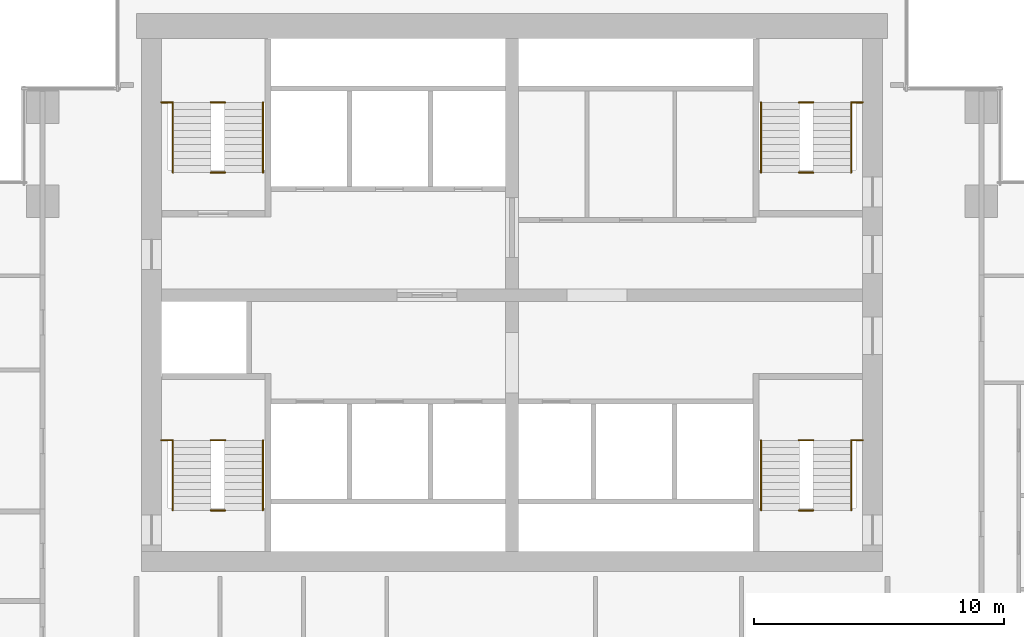
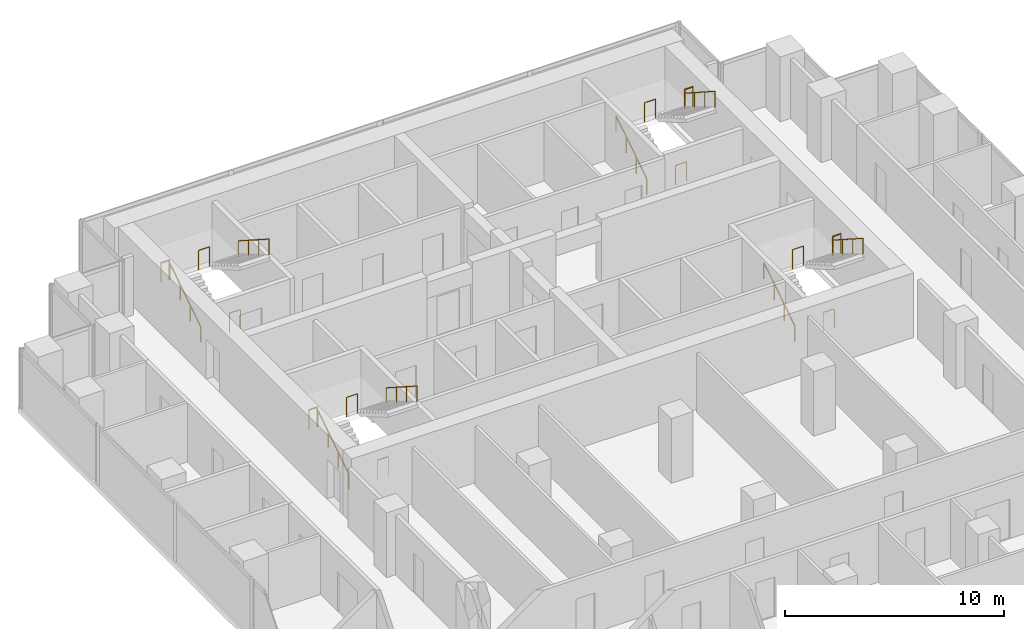
# One storey, part 11 of 11: 20 railings.
"""IFC4 building model written with IfcOpenShell, lengths in metres."""

from ifc_helpers import new_model, si_unit, direction, frame, origin, origin_2d, place, context, subcontext, project, spatial, circle, extrude, material, type_object, element, save


model = new_model("IFC4")

# Units and contexts
model_context = context("Model", 3, precision=1e-05, world=origin(), true_north=direction((0.0, 1.0)))
body_context = subcontext(model_context, "Body", "Model", "MODEL_VIEW")
ifc_project = project(units=[si_unit("LENGTHUNIT", "METRE"), si_unit("AREAUNIT", "SQUARE_METRE"), si_unit("VOLUMEUNIT", "CUBIC_METRE"), si_unit("PLANEANGLEUNIT", "RADIAN"), si_unit("MASSUNIT", "GRAM", prefix="KILO")], contexts=[model_context])

# Site, building, storey
site_placement = place(None, origin())
site = spatial("IfcSite", under=ifc_project, at=site_placement, CompositionType="ELEMENT")
building_placement = place(site_placement, origin())
building = spatial("IfcBuilding", under=site, at=building_placement, Name="Pilkhan Gate Tower", CompositionType="ELEMENT")
storey_placement = place(building_placement, frame((0.0, 0.0, 125.199951171875)))
storey = spatial("IfcBuildingStorey", under=building, at=storey_placement, Name="L31", CompositionType="ELEMENT", Elevation=125.199951171875)

# Railings
ifc_material_1 = material(Name="Black powder-coated steel tube", Category="steel")
railing_type_1 = type_object("IfcRailingType", Name="Stair handrail HR1", PredefinedType="HANDRAIL", material=ifc_material_1)
railing_1_placement = place(storey_placement, frame((84.949951171875, 73.89990234375, 0.0)))
element("IfcRailing", 1, at=railing_1_placement, inside=storey, type_object=railing_type_1, Name="Stair ST1 handrail L31", PredefinedType="HANDRAIL", context=body_context, shape_type="SweptSolid", body=[
    extrude(circle(Radius=0.02392578125, at=origin_2d()), frame((0.0, 0.0, 0.8759765625), z_axis=(0.0, 0.841176092368, 0.540761298198), x_axis=(-1.0, 0.0, 0.0)), (0.0, 0.0, 1.0), 3.32861328125),
    extrude(circle(Radius=0.02099609375, at=origin_2d()), origin(), (0.0, 0.0, 1.0), 0.851806640625),
    extrude(circle(Radius=0.02099609375, at=origin_2d()), frame((0.0, 0.933349609375, 0.60009765625)), (0.0, 0.0, 1.0), 0.851806640625),
    extrude(circle(Radius=0.02099609375, at=origin_2d()), frame((0.0, 1.86669921875, 1.199951171875)), (0.0, 0.0, 1.0), 0.851806640625),
    extrude(circle(Radius=0.02099609375, at=origin_2d()), frame((0.0, 2.800048828125, 1.800048828125)), (0.0, 0.0, 1.0), 0.851806640625),
])
railing_2_placement = place(storey_placement, frame((88.550048828125, 76.699951171875, 1.800048828125)))
element("IfcRailing", 2, at=railing_2_placement, inside=storey, type_object=railing_type_1, Name="Stair ST1 handrail L31", PredefinedType="HANDRAIL", context=body_context, shape_type="SweptSolid", body=[
    extrude(circle(Radius=0.02392578125, at=origin_2d()), frame((0.0, 0.0, 0.8759765625), z_axis=(0.0, -0.841176092368, 0.540761298198), x_axis=(1.0, 0.0, 0.0)), (0.0, 0.0, 1.0), 3.32861328125),
    extrude(circle(Radius=0.02099609375, at=origin_2d()), origin(), (0.0, 0.0, 1.0), 0.851806640625),
    extrude(circle(Radius=0.02099609375, at=origin_2d()), frame((0.0, -0.933349609375, 0.60009765625)), (0.0, 0.0, 1.0), 0.851806640625),
    extrude(circle(Radius=0.02099609375, at=origin_2d()), frame((0.0, -1.86669921875, 1.199951171875)), (0.0, 0.0, 1.0), 0.851806640625),
    extrude(circle(Radius=0.02099609375, at=origin_2d()), frame((0.0, -2.800048828125, 1.800048828125)), (0.0, 0.0, 1.0), 0.851806640625),
])
railing_3_placement = place(storey_placement, frame((61.449951171875, 73.89990234375, 0.0)))
element("IfcRailing", 3, at=railing_3_placement, inside=storey, type_object=railing_type_1, Name="Stair ST2 handrail L31", PredefinedType="HANDRAIL", context=body_context, shape_type="SweptSolid", body=[
    extrude(circle(Radius=0.02392578125, at=origin_2d()), frame((0.0, 0.0, 0.8759765625), z_axis=(0.0, 0.841176092368, 0.540761298198), x_axis=(-1.0, 0.0, 0.0)), (0.0, 0.0, 1.0), 3.32861328125),
    extrude(circle(Radius=0.02099609375, at=origin_2d()), origin(), (0.0, 0.0, 1.0), 0.851806640625),
    extrude(circle(Radius=0.02099609375, at=origin_2d()), frame((0.0, 0.933349609375, 0.60009765625)), (0.0, 0.0, 1.0), 0.851806640625),
    extrude(circle(Radius=0.02099609375, at=origin_2d()), frame((0.0, 1.86669921875, 1.199951171875)), (0.0, 0.0, 1.0), 0.851806640625),
    extrude(circle(Radius=0.02099609375, at=origin_2d()), frame((0.0, 2.800048828125, 1.800048828125)), (0.0, 0.0, 1.0), 0.851806640625),
])
railing_4_placement = place(storey_placement, frame((65.050048828125, 76.699951171875, 1.800048828125)))
element("IfcRailing", 4, at=railing_4_placement, inside=storey, type_object=railing_type_1, Name="Stair ST2 handrail L31", PredefinedType="HANDRAIL", context=body_context, shape_type="SweptSolid", body=[
    extrude(circle(Radius=0.02392578125, at=origin_2d()), frame((0.0, 0.0, 0.8759765625), z_axis=(0.0, -0.841176092368, 0.540761298198), x_axis=(1.0, 0.0, 0.0)), (0.0, 0.0, 1.0), 3.32861328125),
    extrude(circle(Radius=0.02099609375, at=origin_2d()), origin(), (0.0, 0.0, 1.0), 0.851806640625),
    extrude(circle(Radius=0.02099609375, at=origin_2d()), frame((0.0, -0.933349609375, 0.60009765625)), (0.0, 0.0, 1.0), 0.851806640625),
    extrude(circle(Radius=0.02099609375, at=origin_2d()), frame((0.0, -1.86669921875, 1.199951171875)), (0.0, 0.0, 1.0), 0.851806640625),
    extrude(circle(Radius=0.02099609375, at=origin_2d()), frame((0.0, -2.800048828125, 1.800048828125)), (0.0, 0.0, 1.0), 0.851806640625),
])
railing_5_placement = place(storey_placement, frame((61.449951171875, 87.39990234375, 0.0)))
element("IfcRailing", 5, at=railing_5_placement, inside=storey, type_object=railing_type_1, Name="Stair ST3 handrail L31", PredefinedType="HANDRAIL", context=body_context, shape_type="SweptSolid", body=[
    extrude(circle(Radius=0.02392578125, at=origin_2d()), frame((0.0, 0.0, 0.8759765625), z_axis=(0.0, 0.841176092368, 0.540761298198), x_axis=(-1.0, 0.0, 0.0)), (0.0, 0.0, 1.0), 3.32861328125),
    extrude(circle(Radius=0.02099609375, at=origin_2d()), origin(), (0.0, 0.0, 1.0), 0.851806640625),
    extrude(circle(Radius=0.02099609375, at=origin_2d()), frame((0.0, 0.933349609375, 0.60009765625)), (0.0, 0.0, 1.0), 0.851806640625),
    extrude(circle(Radius=0.02099609375, at=origin_2d()), frame((0.0, 1.86669921875, 1.199951171875)), (0.0, 0.0, 1.0), 0.851806640625),
    extrude(circle(Radius=0.02099609375, at=origin_2d()), frame((0.0, 2.800048828125, 1.800048828125)), (0.0, 0.0, 1.0), 0.851806640625),
])
railing_6_placement = place(storey_placement, frame((65.050048828125, 90.199951171875, 1.800048828125)))
element("IfcRailing", 6, at=railing_6_placement, inside=storey, type_object=railing_type_1, Name="Stair ST3 handrail L31", PredefinedType="HANDRAIL", context=body_context, shape_type="SweptSolid", body=[
    extrude(circle(Radius=0.02392578125, at=origin_2d()), frame((0.0, 0.0, 0.8759765625), z_axis=(0.0, -0.841176092368, 0.540761298198), x_axis=(1.0, 0.0, 0.0)), (0.0, 0.0, 1.0), 3.32861328125),
    extrude(circle(Radius=0.02099609375, at=origin_2d()), origin(), (0.0, 0.0, 1.0), 0.851806640625),
    extrude(circle(Radius=0.02099609375, at=origin_2d()), frame((0.0, -0.933349609375, 0.60009765625)), (0.0, 0.0, 1.0), 0.851806640625),
    extrude(circle(Radius=0.02099609375, at=origin_2d()), frame((0.0, -1.86669921875, 1.199951171875)), (0.0, 0.0, 1.0), 0.851806640625),
    extrude(circle(Radius=0.02099609375, at=origin_2d()), frame((0.0, -2.800048828125, 1.800048828125)), (0.0, 0.0, 1.0), 0.851806640625),
])
railing_7_placement = place(storey_placement, frame((84.949951171875, 87.39990234375, 0.0)))
element("IfcRailing", 7, at=railing_7_placement, inside=storey, type_object=railing_type_1, Name="Stair ST4 handrail L31", PredefinedType="HANDRAIL", context=body_context, shape_type="SweptSolid", body=[
    extrude(circle(Radius=0.02392578125, at=origin_2d()), frame((0.0, 0.0, 0.8759765625), z_axis=(0.0, 0.841176092368, 0.540761298198), x_axis=(-1.0, 0.0, 0.0)), (0.0, 0.0, 1.0), 3.32861328125),
    extrude(circle(Radius=0.02099609375, at=origin_2d()), origin(), (0.0, 0.0, 1.0), 0.851806640625),
    extrude(circle(Radius=0.02099609375, at=origin_2d()), frame((0.0, 0.933349609375, 0.60009765625)), (0.0, 0.0, 1.0), 0.851806640625),
    extrude(circle(Radius=0.02099609375, at=origin_2d()), frame((0.0, 1.86669921875, 1.199951171875)), (0.0, 0.0, 1.0), 0.851806640625),
    extrude(circle(Radius=0.02099609375, at=origin_2d()), frame((0.0, 2.800048828125, 1.800048828125)), (0.0, 0.0, 1.0), 0.851806640625),
])
railing_8_placement = place(storey_placement, frame((88.550048828125, 90.199951171875, 1.800048828125)))
element("IfcRailing", 8, at=railing_8_placement, inside=storey, type_object=railing_type_1, Name="Stair ST4 handrail L31", PredefinedType="HANDRAIL", context=body_context, shape_type="SweptSolid", body=[
    extrude(circle(Radius=0.02392578125, at=origin_2d()), frame((0.0, 0.0, 0.8759765625), z_axis=(0.0, -0.841176092368, 0.540761298198), x_axis=(1.0, 0.0, 0.0)), (0.0, 0.0, 1.0), 3.32861328125),
    extrude(circle(Radius=0.02099609375, at=origin_2d()), origin(), (0.0, 0.0, 1.0), 0.851806640625),
    extrude(circle(Radius=0.02099609375, at=origin_2d()), frame((0.0, -0.933349609375, 0.60009765625)), (0.0, 0.0, 1.0), 0.851806640625),
    extrude(circle(Radius=0.02099609375, at=origin_2d()), frame((0.0, -1.86669921875, 1.199951171875)), (0.0, 0.0, 1.0), 0.851806640625),
    extrude(circle(Radius=0.02099609375, at=origin_2d()), frame((0.0, -2.800048828125, 1.800048828125)), (0.0, 0.0, 1.0), 0.851806640625),
])
ifc_material_2 = material(Name="Black powder-coated steel balusters", Category="steel")
railing_type_2 = type_object("IfcRailingType", Name="Stair well guard G3", PredefinedType="GUARDRAIL", material=ifc_material_2)
railing_9_placement = place(storey_placement, frame((88.580078125, 76.699951171875, 1.800048828125)))
element("IfcRailing", 9, at=railing_9_placement, inside=storey, type_object=railing_type_2, Name="Stair ST1 well guard L31", PredefinedType="GUARDRAIL", context=body_context, shape_type="SweptSolid", body=[
    extrude(circle(Radius=0.02392578125, at=origin_2d()), frame((0.0, 0.0, 1.076171875), z_axis=(1.0, 0.0, 0.0), x_axis=(0.0, 1.0, 0.0)), (0.0, 0.0, 1.0), 0.43994140625),
    extrude(circle(Radius=0.02099609375, at=origin_2d()), origin(), (0.0, 0.0, 1.0), 1.052001953125),
    extrude(circle(Radius=0.02099609375, at=origin_2d()), frame((0.43994140625, 0.0, 0.0)), (0.0, 0.0, 1.0), 1.052001953125),
])
for number, where, name in (
    (10, (86.4599609375, 73.89990234375, 0.0), "Stair ST1 well guard L31"),
    (11, (86.4599609375, 76.699951171875, 1.800048828125), "Stair ST1 well guard L31"),
):
    element("IfcRailing", number, at=place(storey_placement, frame(where)), inside=storey, type_object=railing_type_2, Name=name, PredefinedType="GUARDRAIL", context=body_context, shape_type="SweptSolid", body=[
        extrude(circle(Radius=0.02392578125, at=origin_2d()), frame((0.0, 0.0, 1.076171875), z_axis=(1.0, 0.0, 0.0), x_axis=(0.0, 1.0, 0.0)), (0.0, 0.0, 1.0), 0.580078125),
        extrude(circle(Radius=0.02099609375, at=origin_2d()), origin(), (0.0, 0.0, 1.0), 1.052001953125),
        extrude(circle(Radius=0.02099609375, at=origin_2d()), frame((0.580078125, 0.0, 0.0)), (0.0, 0.0, 1.0), 1.052001953125),
    ])
railing_10_placement = place(storey_placement, frame((60.97998046875, 76.699951171875, 1.800048828125)))
element("IfcRailing", 12, at=railing_10_placement, inside=storey, type_object=railing_type_2, Name="Stair ST2 well guard L31", PredefinedType="GUARDRAIL", context=body_context, shape_type="SweptSolid", body=[
    extrude(circle(Radius=0.02392578125, at=origin_2d()), frame((0.0, 0.0, 1.076171875), z_axis=(1.0, 0.0, 0.0), x_axis=(0.0, 1.0, 0.0)), (0.0, 0.0, 1.0), 0.43994140625),
    extrude(circle(Radius=0.02099609375, at=origin_2d()), origin(), (0.0, 0.0, 1.0), 1.052001953125),
    extrude(circle(Radius=0.02099609375, at=origin_2d()), frame((0.43994140625, 0.0, 0.0)), (0.0, 0.0, 1.0), 1.052001953125),
])
for number, where, name in (
    (13, (62.9599609375, 73.89990234375, 0.0), "Stair ST2 well guard L31"),
    (14, (62.9599609375, 76.699951171875, 1.800048828125), "Stair ST2 well guard L31"),
):
    element("IfcRailing", number, at=place(storey_placement, frame(where)), inside=storey, type_object=railing_type_2, Name=name, PredefinedType="GUARDRAIL", context=body_context, shape_type="SweptSolid", body=[
        extrude(circle(Radius=0.02392578125, at=origin_2d()), frame((0.0, 0.0, 1.076171875), z_axis=(1.0, 0.0, 0.0), x_axis=(0.0, 1.0, 0.0)), (0.0, 0.0, 1.0), 0.580078125),
        extrude(circle(Radius=0.02099609375, at=origin_2d()), origin(), (0.0, 0.0, 1.0), 1.052001953125),
        extrude(circle(Radius=0.02099609375, at=origin_2d()), frame((0.580078125, 0.0, 0.0)), (0.0, 0.0, 1.0), 1.052001953125),
    ])
railing_11_placement = place(storey_placement, frame((60.97998046875, 90.199951171875, 1.800048828125)))
element("IfcRailing", 15, at=railing_11_placement, inside=storey, type_object=railing_type_2, Name="Stair ST3 well guard L31", PredefinedType="GUARDRAIL", context=body_context, shape_type="SweptSolid", body=[
    extrude(circle(Radius=0.02392578125, at=origin_2d()), frame((0.0, 0.0, 1.076171875), z_axis=(1.0, 0.0, 0.0), x_axis=(0.0, 1.0, 0.0)), (0.0, 0.0, 1.0), 0.43994140625),
    extrude(circle(Radius=0.02099609375, at=origin_2d()), origin(), (0.0, 0.0, 1.0), 1.052001953125),
    extrude(circle(Radius=0.02099609375, at=origin_2d()), frame((0.43994140625, 0.0, 0.0)), (0.0, 0.0, 1.0), 1.052001953125),
])
for number, where, name in (
    (16, (62.9599609375, 87.39990234375, 0.0), "Stair ST3 well guard L31"),
    (17, (62.9599609375, 90.199951171875, 1.800048828125), "Stair ST3 well guard L31"),
):
    element("IfcRailing", number, at=place(storey_placement, frame(where)), inside=storey, type_object=railing_type_2, Name=name, PredefinedType="GUARDRAIL", context=body_context, shape_type="SweptSolid", body=[
        extrude(circle(Radius=0.02392578125, at=origin_2d()), frame((0.0, 0.0, 1.076171875), z_axis=(1.0, 0.0, 0.0), x_axis=(0.0, 1.0, 0.0)), (0.0, 0.0, 1.0), 0.580078125),
        extrude(circle(Radius=0.02099609375, at=origin_2d()), origin(), (0.0, 0.0, 1.0), 1.052001953125),
        extrude(circle(Radius=0.02099609375, at=origin_2d()), frame((0.580078125, 0.0, 0.0)), (0.0, 0.0, 1.0), 1.052001953125),
    ])
railing_12_placement = place(storey_placement, frame((88.580078125, 90.199951171875, 1.800048828125)))
element("IfcRailing", 18, at=railing_12_placement, inside=storey, type_object=railing_type_2, Name="Stair ST4 well guard L31", PredefinedType="GUARDRAIL", context=body_context, shape_type="SweptSolid", body=[
    extrude(circle(Radius=0.02392578125, at=origin_2d()), frame((0.0, 0.0, 1.076171875), z_axis=(1.0, 0.0, 0.0), x_axis=(0.0, 1.0, 0.0)), (0.0, 0.0, 1.0), 0.43994140625),
    extrude(circle(Radius=0.02099609375, at=origin_2d()), origin(), (0.0, 0.0, 1.0), 1.052001953125),
    extrude(circle(Radius=0.02099609375, at=origin_2d()), frame((0.43994140625, 0.0, 0.0)), (0.0, 0.0, 1.0), 1.052001953125),
])
for number, where, name in (
    (19, (86.4599609375, 87.39990234375, 0.0), "Stair ST4 well guard L31"),
    (20, (86.4599609375, 90.199951171875, 1.800048828125), "Stair ST4 well guard L31"),
):
    element("IfcRailing", number, at=place(storey_placement, frame(where)), inside=storey, type_object=railing_type_2, Name=name, PredefinedType="GUARDRAIL", context=body_context, shape_type="SweptSolid", body=[
        extrude(circle(Radius=0.02392578125, at=origin_2d()), frame((0.0, 0.0, 1.076171875), z_axis=(1.0, 0.0, 0.0), x_axis=(0.0, 1.0, 0.0)), (0.0, 0.0, 1.0), 0.580078125),
        extrude(circle(Radius=0.02099609375, at=origin_2d()), origin(), (0.0, 0.0, 1.0), 1.052001953125),
        extrude(circle(Radius=0.02099609375, at=origin_2d()), frame((0.580078125, 0.0, 0.0)), (0.0, 0.0, 1.0), 1.052001953125),
    ])

save(model, "model.ifc")
